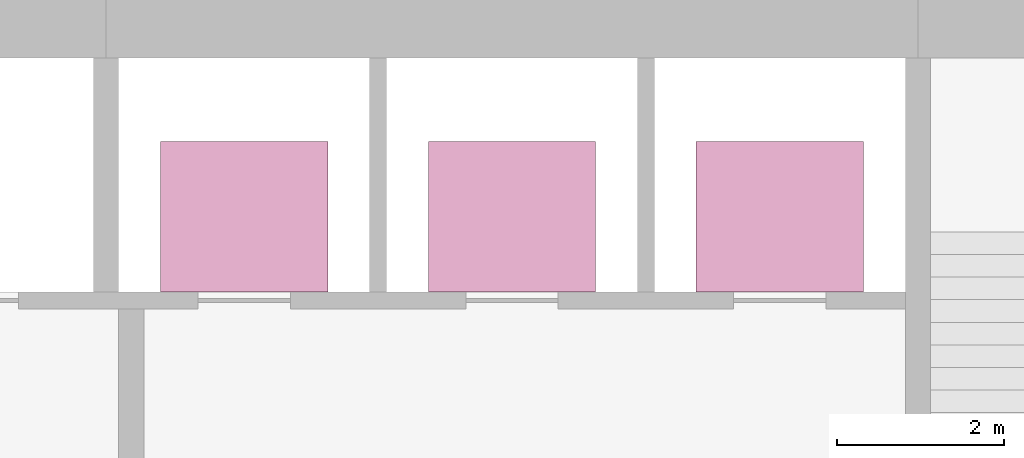
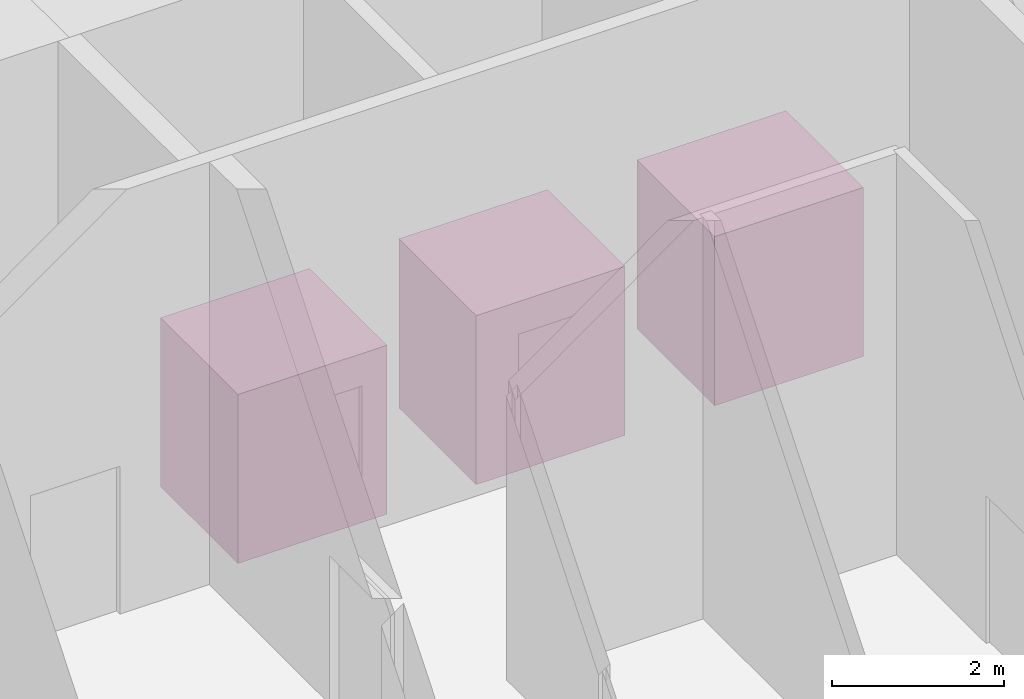
# One storey, part 16 of 16: 3 transport elements.
"""IFC4 building model written with IfcOpenShell, lengths in metres."""

from ifc_helpers import new_model, si_unit, direction, frame, origin, origin_2d, place, context, subcontext, project, spatial, rectangle, extrude, material, type_object, element, save


model = new_model("IFC4")

# Units and contexts
model_context = context("Model", 3, precision=1e-05, world=origin(), true_north=direction((0.0, 1.0)))
body_context = subcontext(model_context, "Body", "Model", "MODEL_VIEW")
ifc_project = project(units=[si_unit("LENGTHUNIT", "METRE"), si_unit("AREAUNIT", "SQUARE_METRE"), si_unit("VOLUMEUNIT", "CUBIC_METRE"), si_unit("PLANEANGLEUNIT", "RADIAN"), si_unit("MASSUNIT", "GRAM", prefix="KILO")], contexts=[model_context])

# Site, building, storey
site_placement = place(None, origin())
site = spatial("IfcSite", under=ifc_project, at=site_placement, CompositionType="ELEMENT")
building_placement = place(site_placement, origin())
building = spatial("IfcBuilding", under=site, at=building_placement, Name="Cleftline Residences", CompositionType="ELEMENT")
storey_placement = place(building_placement, origin())
storey = spatial("IfcBuildingStorey", under=building, at=storey_placement, Name="L00", CompositionType="ELEMENT", Elevation=0.0)

# Transport elements
ifc_material = material(Name="Steel lift car", Category="steel")
transport_element_type = type_object("IfcTransportElementType", Name="PASSENGER LIFT", PredefinedType="ELEVATOR", material=ifc_material)
for number, where, z_axis, x_axis, name in (
    (1, (29.800048828125, 31.10009765625, 0.0), (0.0, 0.0, 1.0), (1.0, 0.0, 0.0), "Lift P4"),
    (2, (33.0, 31.10009765625, 0.0), (0.0, 0.0, 1.0), (1.0, 0.0, 0.0), "Lift P5"),
    (3, (36.199951171875, 31.10009765625, 0.0), (0.0, 0.0, 1.0), (1.0, 0.0, 0.0), "Lift P6"),
):
    element("IfcTransportElement", number, at=place(storey_placement, frame(where, z_axis=z_axis, x_axis=x_axis)), inside=storey, type_object=transport_element_type, Name=name, PredefinedType="ELEVATOR", context=body_context, shape_type="SweptSolid", body=[
        extrude(rectangle(XDim=2.0, YDim=1.800048828125, at=origin_2d()), origin(), (0.0, 0.0, 1.0), 2.39990234375),
    ])

save(model, "model.ifc")
